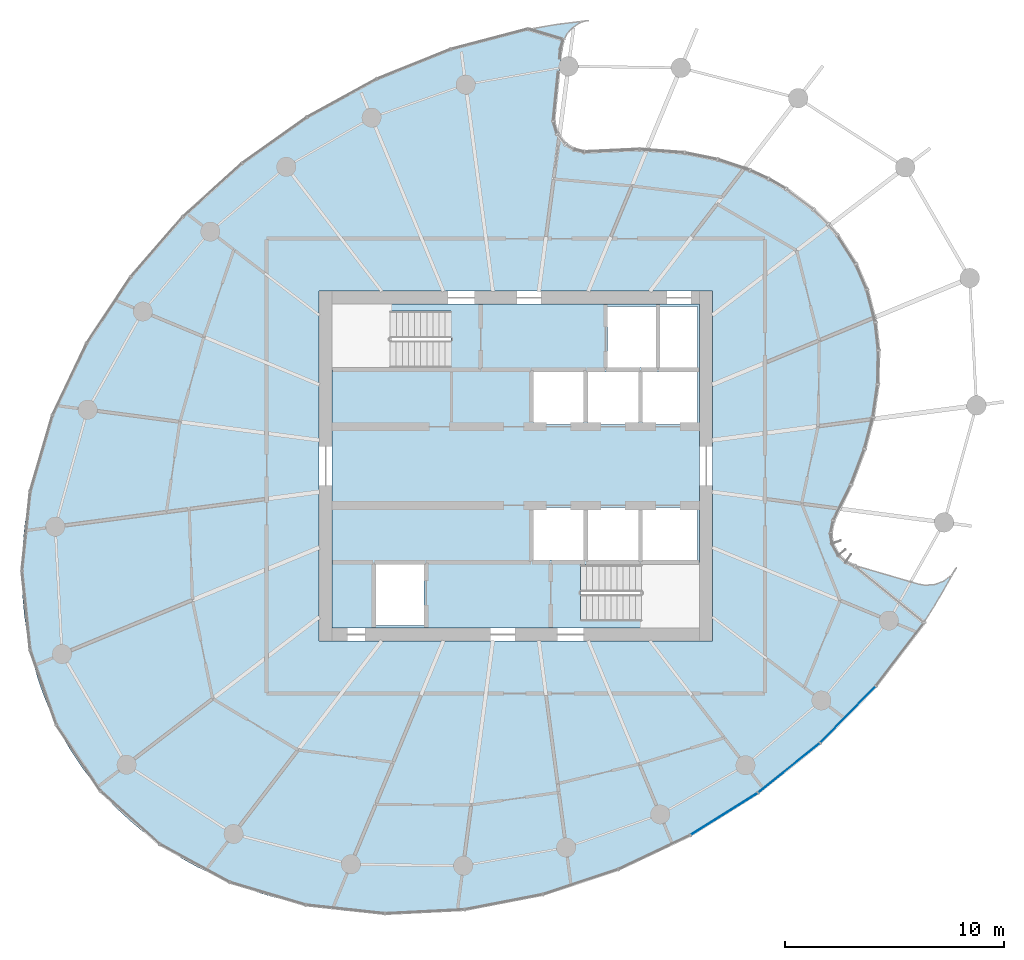
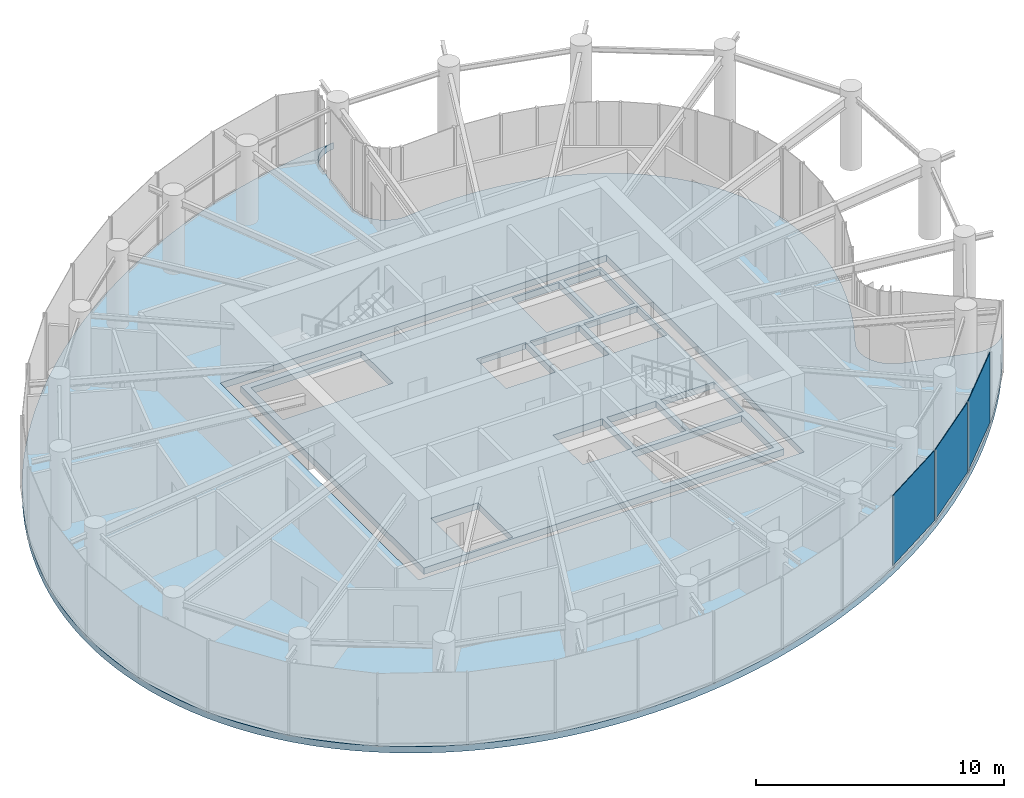
# One storey, part 9 of 17: 3 plates, 2 slabs, 1 element without a shape of its own.
"""IFC4 building model written with IfcOpenShell, lengths in metres."""

from ifc_helpers import new_model, si_unit, direction, frame, origin, origin_2d, place, context, subcontext, project, spatial, line, indexed_curve, rectangle, outline, extrude, source, transform, mapped, material, layer, layer_set, type_object, element, aggregate, save


model = new_model("IFC4")

# Units and contexts
model_context = context("Model", 3, precision=1e-05, world=origin(), true_north=direction((0.0, 1.0)))
body_context = subcontext(model_context, "Body", "Model", "MODEL_VIEW")
ifc_project = project(units=[si_unit("LENGTHUNIT", "METRE"), si_unit("AREAUNIT", "SQUARE_METRE"), si_unit("VOLUMEUNIT", "CUBIC_METRE"), si_unit("PLANEANGLEUNIT", "RADIAN"), si_unit("MASSUNIT", "GRAM", prefix="KILO")], contexts=[model_context])

# Site, building, storey
site_placement = place(None, origin())
site = spatial("IfcSite", under=ifc_project, at=site_placement, CompositionType="ELEMENT")
building_placement = place(site_placement, origin())
building = spatial("IfcBuilding", under=site, at=building_placement, Name="Spindrift Exchange Tower", CompositionType="ELEMENT")
storey_placement = place(building_placement, frame((0.0, 0.0, 187.699951171875)))
storey = spatial("IfcBuildingStorey", under=building, at=storey_placement, Name="L45", CompositionType="ELEMENT", Elevation=187.699951171875)

# Slabs
ifc_material_1 = material(Name="Concrete 40 MPa", Category="concrete")
ifc_layer_1 = layer(ifc_material_1, 0.320068359375)
ifc_layer_set_1 = layer_set([ifc_layer_1], Name="RC Floor Slab 320 Concrete 40 MPa")
slab_type_1 = type_object("IfcSlabType", Name="RC Floor Slab 320 Concrete 40 MPa", PredefinedType="FLOOR", material=ifc_layer_set_1)
slab_1_placement = place(storey_placement, frame((0.0, 0.0, -0.320068359375)))
element("IfcSlab", 1, at=slab_1_placement, inside=storey, type_object=slab_type_1, Name="Floor slab L45", PredefinedType="FLOOR", context=body_context, shape_type="SweptSolid", body=[
    extrude(outline(indexed_curve([(72.142578125, 43.347900390625), (71.718505859375, 42.55517578125), (71.533447265625, 42.2294921875), (71.1494140625, 41.586181640625), (70.747314453125, 40.9541015625), (70.539794921875, 40.64208984375), (70.11181640625, 40.027099609375), (69.66748046875, 39.424072265625), (68.97119140625, 38.541748046875), (68.241455078125, 37.6875), (67.479248046875, 36.861328125), (66.954345703125, 36.326904296875), (66.142333984375, 35.550048828125), (65.58544921875, 35.048828125), (64.727783203125, 34.32275390625), (64.1416015625, 33.856201171875), (63.24169921875, 33.18310546875), (62.318359375, 32.54248046875), (61.37255859375, 31.935302734375), (60.40576171875, 31.362548828125), (59.4189453125, 30.824951171875), (58.413330078125, 30.3232421875), (57.733154296875, 30.009521484375), (56.69873046875, 29.5703125), (56.000244140625, 29.299072265625), (54.9404296875, 28.92529296875), (54.226318359375, 28.69921875), (53.14453125, 28.39453125), (52.4169921875, 28.215576171875), (51.68505859375, 28.05615234375), (51.3173828125, 27.98388671875), (50.579345703125, 27.85498046875), (50.208984375, 27.79833984375), (49.46630859375, 27.701171875), (48.720703125, 27.62548828125), (48.347412109375, 27.595947265625), (47.599365234375, 27.553955078125), (46.850341796875, 27.534912109375), (46.101318359375, 27.53955078125), (45.726806640625, 27.551025390625), (44.978759765625, 27.59228515625), (44.232421875, 27.658935546875), (43.8603515625, 27.701904296875), (43.11865234375, 27.8076171875), (42.381103515625, 27.939697265625), (42.014404296875, 28.01611328125), (41.28564453125, 28.189697265625), (40.564208984375, 28.39111328125), (39.851318359375, 28.62158203125), (39.1484375, 28.880859375), (38.80126953125, 29.021728515625), (38.116455078125, 29.325439453125), (37.44580078125, 29.6591796875), (36.790771484375, 30.022705078125), (36.1533203125, 30.416259765625), (35.535400390625, 30.83984375), (34.9384765625, 31.292724609375), (34.364990234375, 31.7744140625), (33.816162109375, 32.28466796875), (33.5517578125, 32.550048828125), (33.0439453125, 33.1005859375), (32.565185546875, 33.677001953125), (32.1171875, 34.27734375), (31.701416015625, 34.900390625), (31.318603515625, 35.54443359375), (30.969970703125, 36.20751953125), (30.65625, 36.8876953125), (30.377685546875, 37.583251953125), (30.135009765625, 38.2919921875), (29.927734375, 39.011962890625), (29.756103515625, 39.7412109375), (29.619384765625, 40.477783203125), (29.517822265625, 41.219970703125), (29.4501953125, 41.966064453125), (29.4287109375, 42.340087890625), (29.410888671875, 43.089111328125), (29.4140625, 43.463623046875), (29.444091796875, 44.212158203125), (29.5048828125, 44.958984375), (29.54638671875, 45.331298828125), (29.59521484375, 45.70263671875), (29.714599609375, 46.442138671875), (29.78466796875, 46.810302734375), (29.9453125, 47.5419921875), (30.13232421875, 48.267333984375), (30.235595703125, 48.62744140625), (30.3447265625, 48.98583984375), (30.58154296875, 49.696533203125), (30.708740234375, 50.049072265625), (30.980712890625, 50.7470703125), (31.124755859375, 51.0927734375), (31.4296875, 51.77734375), (31.75537109375, 52.451904296875), (31.92578125, 52.785400390625), (32.101318359375, 53.116455078125), (32.466552734375, 53.7705078125), (32.8505859375, 54.413818359375), (33.049560546875, 54.731201171875), (33.460205078125, 55.35791015625), (33.88818359375, 55.972900390625), (34.560791015625, 56.873046875), (35.02880859375, 57.458251953125), (35.51171875, 58.031005859375), (36.26318359375, 58.866455078125), (36.781494140625, 59.407470703125), (37.313232421875, 59.935302734375), (38.134521484375, 60.7021484375), (38.697509765625, 61.196533203125), (39.272216796875, 61.67724609375), (39.8583984375, 62.143798828125), (40.455810546875, 62.59619140625), (41.371337890625, 63.247802734375), (42.309814453125, 63.865966796875), (42.947509765625, 64.259521484375), (43.59423828125, 64.637451171875), (44.5810546875, 65.175048828125), (45.24951171875, 65.513671875), (45.92578125, 65.835693359375), (46.60986328125, 66.14111328125), (47.30126953125, 66.4296875), (48.351318359375, 66.830078125), (49.416015625, 67.190185546875), (50.49365234375, 67.5087890625), (51.218505859375, 67.697509765625), (51.948486328125, 67.86669921875), (52.31494140625, 67.94384765625), (53.05126953125, 68.0830078125), (53.791015625, 68.20166015625), (54.162109375, 68.2529296875), (54.90625, 68.339599609375), (55.4287109375, 68.386474609375), (55.321533203125, 68.37255859375), (55.177001953125, 68.339111328125), (55.03662109375, 68.291748046875), (54.901611328125, 68.230712890625), (54.773193359375, 68.156494140625), (54.652587890625, 68.0703125), (54.541259765625, 67.972412109375), (54.43994140625, 67.864013671875), (54.35009765625, 67.746337890625), (54.27197265625, 67.6201171875), (54.206787109375, 67.487060546875), (54.155029296875, 67.34814453125), (54.117431640625, 67.20458984375), (54.093994140625, 67.058349609375), (53.765625, 64.07275390625), (53.756591796875, 63.924072265625), (53.762451171875, 63.775146484375), (53.783203125, 63.627685546875), (53.818115234375, 63.48291015625), (53.867431640625, 63.34228515625), (53.930419921875, 63.207275390625), (54.00634765625, 63.0791015625), (54.0947265625, 62.958984375), (54.194580078125, 62.848388671875), (54.3046875, 62.748291015625), (54.42431640625, 62.659423828125), (54.55224609375, 62.5830078125), (54.68701171875, 62.51953125), (54.827392578125, 62.4697265625), (54.97216796875, 62.43408203125), (55.11962890625, 62.4130859375), (55.2685546875, 62.406494140625), (55.957763671875, 62.46826171875), (56.50634765625, 62.505859375), (57.36279296875, 62.53125), (57.665283203125, 62.530029296875), (58.23681640625, 62.5126953125), (58.827392578125, 62.473388671875), (59.139404296875, 62.443603515625), (59.72216796875, 62.3701171875), (60.338134765625, 62.26611328125), (60.921875, 62.140625), (61.221435546875, 62.0654296875), (61.835693359375, 61.886962890625), (62.407470703125, 61.688720703125), (62.69921875, 61.574462890625), (63.274658203125, 61.3212890625), (63.836181640625, 61.034423828125), (64.38037109375, 60.71337890625), (64.64501953125, 60.539794921875), (64.90380859375, 60.35791015625), (65.15673828125, 60.16748046875), (65.403076171875, 59.968505859375), (65.642578125, 59.76123046875), (65.875, 59.545654296875), (66.099609375, 59.322265625), (66.31591796875, 59.091064453125), (66.54150390625, 58.83154296875), (66.740234375, 58.584716796875), (66.913818359375, 58.352783203125), (67.094970703125, 58.0927734375), (67.2666015625, 57.826416015625), (67.42822265625, 57.5537109375), (67.592529296875, 57.251708984375), (67.7333984375, 56.9677734375), (67.853271484375, 56.70361328125), (67.984130859375, 56.385986328125), (68.093994140625, 56.0888671875), (68.276123046875, 55.508544921875), (68.35595703125, 55.20166015625), (68.430419921875, 54.86865234375), (68.534912109375, 54.2685546875), (68.5771484375, 53.93212890625), (68.62548828125, 53.3251953125), (68.6376953125, 52.9892578125), (68.63330078125, 52.36181640625), (68.618408203125, 52.049560546875), (68.56689453125, 51.44775390625), (68.48095703125, 50.816650390625), (68.373046875, 50.2294921875), (68.30419921875, 49.915283203125), (68.15966796875, 49.34326171875), (67.989501953125, 48.768310546875), (67.799560546875, 48.206787109375), (67.591796875, 47.65966796875), (67.367919921875, 47.126953125), (67.130126953125, 46.609130859375), (66.879638671875, 46.106201171875), (66.623291015625, 45.62744140625), (66.55859375, 45.493408203125), (66.50732421875, 45.353515625), (66.47021484375, 45.209228515625), (66.44775390625, 45.06201171875), (66.43994140625, 44.9130859375), (66.44677734375, 44.764404296875), (66.468505859375, 44.616943359375), (66.50439453125, 44.472412109375), (66.5546875, 44.33203125), (66.61865234375, 44.197509765625), (66.695556640625, 44.06982421875), (66.78466796875, 43.95068359375), (66.88525390625, 43.8408203125), (66.996337890625, 43.7412109375), (67.116455078125, 43.6533203125), (67.244873046875, 43.57763671875), (67.380126953125, 43.51513671875), (67.52099609375, 43.46630859375), (70.404052734375, 42.62451171875), (70.54833984375, 42.590087890625), (70.6953125, 42.570068359375), (70.84326171875, 42.564453125), (70.9912109375, 42.57373046875), (71.1376953125, 42.597412109375), (71.281005859375, 42.63525390625), (71.419921875, 42.687255859375), (71.552978515625, 42.752685546875), (71.678955078125, 42.830810546875), (71.79638671875, 42.9208984375), (71.90478515625, 43.022216796875), (72.00244140625, 43.1337890625), (72.088623046875, 43.25439453125)], segments=[line(1, 2, 3, 4, 5, 6, 7, 8, 9, 10, 11, 12, 13, 14, 15, 16, 17, 18, 19, 20, 21, 22, 23, 24, 25, 26, 27, 28, 29, 30, 31, 32, 33, 34, 35, 36, 37, 38, 39, 40, 41, 42, 43, 44, 45, 46, 47, 48, 49, 50, 51, 52, 53, 54, 55, 56, 57, 58, 59, 60, 61, 62, 63, 64, 65, 66, 67, 68, 69, 70, 71, 72, 73, 74, 75, 76, 77, 78, 79, 80, 81, 82, 83, 84, 85, 86, 87, 88, 89, 90, 91, 92, 93, 94, 95, 96, 97, 98, 99, 100, 101, 102, 103, 104, 105, 106, 107, 108, 109, 110, 111, 112, 113, 114, 115, 116, 117, 118, 119, 120, 121, 122, 123, 124, 125, 126, 127, 128, 129, 130, 131, 132, 133, 134, 135, 136, 137, 138, 139, 140, 141, 142, 143, 144, 145, 146, 147, 148, 149, 150, 151, 152, 153, 154, 155, 156, 157, 158, 159, 160, 161, 162, 163, 164, 165, 166, 167, 168, 169, 170, 171, 172, 173, 174, 175, 176, 177, 178, 179, 180, 181, 182, 183, 184, 185, 186, 187, 188, 189, 190, 191, 192, 193, 194, 195, 196, 197, 198, 199, 200, 201, 202, 203, 204, 205, 206, 207, 208, 209, 210, 211, 212, 213, 214, 215, 216, 217, 218, 219, 220, 221, 222, 223, 224, 225, 226, 227, 228, 229, 230, 231, 232, 233, 234, 235, 236, 237, 238, 239, 240, 241, 242, 243, 244, 245, 246, 247, 248, 249, 250, 251, 252, 1)], self_intersect=False), holes=[indexed_curve([(43.0, 40.0), (61.0, 40.0), (61.0, 56.0), (43.0, 56.0)], segments=[line(1, 2, 3, 4, 1)], self_intersect=False)]), origin(), (0.0, 0.0, 1.0), 0.320068359375),
])
ifc_material_2 = material(Name="Concrete 50 MPa", Category="concrete")
ifc_layer_2 = layer(ifc_material_2, 0.320068359375)
ifc_layer_set_2 = layer_set([ifc_layer_2], Name="SL-CORE-FLOOR-320")
slab_type_2 = type_object("IfcSlabType", Name="SL-CORE-FLOOR-320", PredefinedType="FLOOR", material=ifc_layer_set_2)
slab_2_placement = place(storey_placement, frame((0.0, 0.0, -0.320068359375)))
element("IfcSlab", 2, at=slab_2_placement, inside=storey, type_object=slab_type_2, Name="L45 Core floor slab", PredefinedType="FLOOR", context=body_context, shape_type="SweptSolid", body=[
    extrude(outline(indexed_curve([(43.60009765625, 40.60009765625), (43.60009765625, 55.39990234375), (60.39990234375, 55.39990234375), (60.39990234375, 40.60009765625)], segments=[line(1, 2, 3, 4, 1)], self_intersect=False), holes=[indexed_curve([(45.60009765625, 43.5), (45.60009765625, 40.699951171875), (47.800048828125, 40.699951171875), (47.800048828125, 43.5)], segments=[line(1, 2, 3, 4, 1)], self_intersect=False), indexed_curve([(52.800048828125, 46.10009765625), (52.800048828125, 43.699951171875), (55.10009765625, 43.699951171875), (55.10009765625, 46.10009765625)], segments=[line(1, 2, 3, 4, 1)], self_intersect=False), indexed_curve([(55.300048828125, 46.10009765625), (55.300048828125, 43.699951171875), (57.60009765625, 43.699951171875), (57.60009765625, 46.10009765625)], segments=[line(1, 2, 3, 4, 1)], self_intersect=False), indexed_curve([(55.10009765625, 52.300048828125), (52.800048828125, 52.300048828125), (52.800048828125, 49.89990234375), (55.10009765625, 49.89990234375)], segments=[line(1, 2, 3, 4, 1)], self_intersect=False), indexed_curve([(57.60009765625, 52.300048828125), (55.300048828125, 52.300048828125), (55.300048828125, 49.89990234375), (57.60009765625, 49.89990234375)], segments=[line(1, 2, 3, 4, 1)], self_intersect=False), indexed_curve([(43.906005859375, 52.506103515625), (49.0439453125, 52.506103515625), (49.0439453125, 55.093994140625), (43.906005859375, 55.093994140625)], segments=[line(1, 2, 3, 4, 1)], self_intersect=False), indexed_curve([(60.093994140625, 40.906005859375), (60.093994140625, 43.493896484375), (54.9560546875, 43.493896484375), (54.9560546875, 40.906005859375)], segments=[line(1, 2, 3, 4, 1)], self_intersect=False), indexed_curve([(60.300048828125, 46.10009765625), (57.800048828125, 46.10009765625), (57.800048828125, 43.699951171875), (60.300048828125, 43.699951171875)], segments=[line(1, 2, 3, 4, 1)], self_intersect=False), indexed_curve([(57.800048828125, 52.300048828125), (57.800048828125, 49.89990234375), (60.300048828125, 49.89990234375), (60.300048828125, 52.300048828125)], segments=[line(1, 2, 3, 4, 1)], self_intersect=False), indexed_curve([(58.39990234375, 55.300048828125), (56.199951171875, 55.300048828125), (56.199951171875, 52.5), (58.39990234375, 52.5)], segments=[line(1, 2, 3, 4, 1)], self_intersect=False), indexed_curve([(60.300048828125, 55.300048828125), (58.60009765625, 55.300048828125), (58.60009765625, 52.5), (60.300048828125, 52.5)], segments=[line(1, 2, 3, 4, 1)], self_intersect=False)]), origin(), (0.0, 0.0, 1.0), 0.320068359375),
])

# Curtain wall, plates
ifc_material_3 = material(Name="Fritted laminated glass with bronze frame", Category="glass")
ifc_layer_3 = layer(ifc_material_3, 0.169921875)
ifc_layer_set_3 = layer_set([ifc_layer_3], Name="ZONE 4 BRONZE FRITTED WALL")
curtain_wall_type = type_object("IfcCurtainWallType", Name="ZONE 4 BRONZE FRITTED WALL", PredefinedType="NOTDEFINED", material=ifc_layer_set_3)
curtain_wall_placement = place(storey_placement, origin())
curtain_wall = element("IfcCurtainWall", 3, at=curtain_wall_placement, inside=storey, type_object=curtain_wall_type, Name="L45 Zone 4 Bronze Fritted Wall run 4", PredefinedType="NOTDEFINED")
ifc_material_4 = material(Name="Bronze fritted laminated glass, open frit", Category="glass")
ifc_layer_4 = layer(ifc_material_4, 0.030029296875)
ifc_layer_set_4 = layer_set([ifc_layer_4], Name="ZONE 4 BRONZE FRITTED WALL PANEL OPEN FRIT 600")
plate_type_1 = type_object("IfcPlateType", Name="ZONE 4 BRONZE FRITTED WALL PANEL OPEN FRIT 600", PredefinedType="CURTAIN_PANEL", material=ifc_layer_set_4)
shared_shape_1 = source(origin(), body_context, "Body", "SweptSolid", [
    extrude(rectangle(XDim=3.577880859375, YDim=0.030029296875, at=origin_2d()), origin(), (0.0, 0.0, 1.0), 3.455078125),
])
plate_1_placement = place(storey_placement, frame((64.489501953125, 34.198974609375, 0.125), z_axis=(0.0, 0.0, 1.0), x_axis=(0.780110567797, 0.625641672214, 0.0)))
plate_1 = element("IfcPlate", 4, at=plate_1_placement, type_object=plate_type_1, Name="L45 panel CW-4.23", PredefinedType="CURTAIN_PANEL", context=body_context, shape_type="MappedRepresentation", body=[
    mapped(shared_shape_1, transform((0.0, 0.0, 0.0), scale=1.0)),
])
ifc_layer_5 = layer(ifc_material_4, 0.030029296875)
ifc_layer_set_5 = layer_set([ifc_layer_5], Name="ZONE 4 BRONZE FRITTED WALL PANEL OPEN FRIT 480")
plate_type_2 = type_object("IfcPlateType", Name="ZONE 4 BRONZE FRITTED WALL PANEL OPEN FRIT 480", PredefinedType="CURTAIN_PANEL", material=ifc_layer_set_5)
shared_shape_2 = source(origin(), body_context, "Body", "SweptSolid", [
    extrude(rectangle(XDim=3.57763671875, YDim=0.030029296875, at=origin_2d()), origin(), (0.0, 0.0, 1.0), 3.455078125),
])
plate_2_placement = place(storey_placement, frame((61.525146484375, 32.092529296875, 0.125), z_axis=(0.0, 0.0, 1.0), x_axis=(0.847491774673, 0.530808526553, 0.0)))
plate_2 = element("IfcPlate", 5, at=plate_2_placement, type_object=plate_type_2, Name="L45 panel CW-4.22", PredefinedType="CURTAIN_PANEL", context=body_context, shape_type="MappedRepresentation", body=[
    mapped(shared_shape_2, transform((0.0, 0.0, 0.0), scale=1.0)),
])
plate_3_placement = place(storey_placement, frame((67.18603515625, 36.638427734375, 0.125), z_axis=(0.0, 0.0, 1.0), x_axis=(0.700389973395, 0.713760383579, 0.0)))
plate_3 = element("IfcPlate", 6, at=plate_3_placement, type_object=plate_type_2, Name="L45 panel CW-4.24", PredefinedType="CURTAIN_PANEL", context=body_context, shape_type="MappedRepresentation", body=[
    mapped(shared_shape_2, transform((0.0, 0.0, 0.0), scale=1.0)),
])
aggregate(curtain_wall, [plate_2, plate_1, plate_3])

save(model, "model.ifc")
